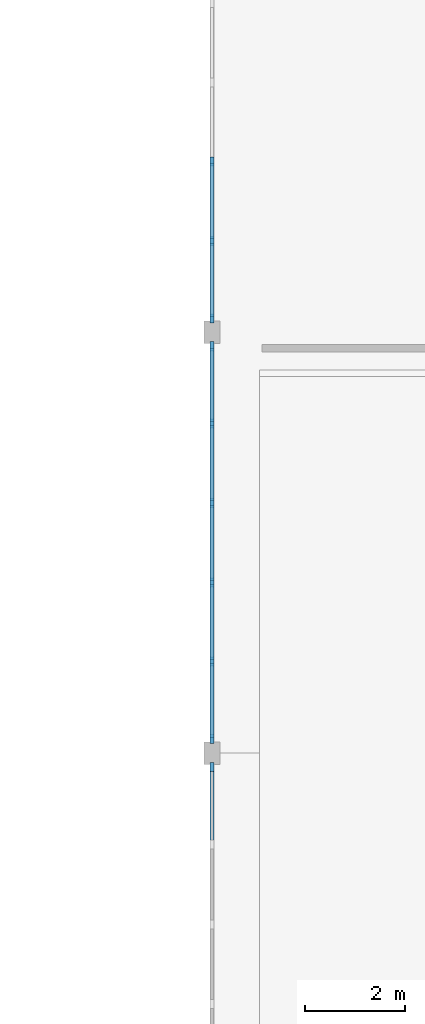
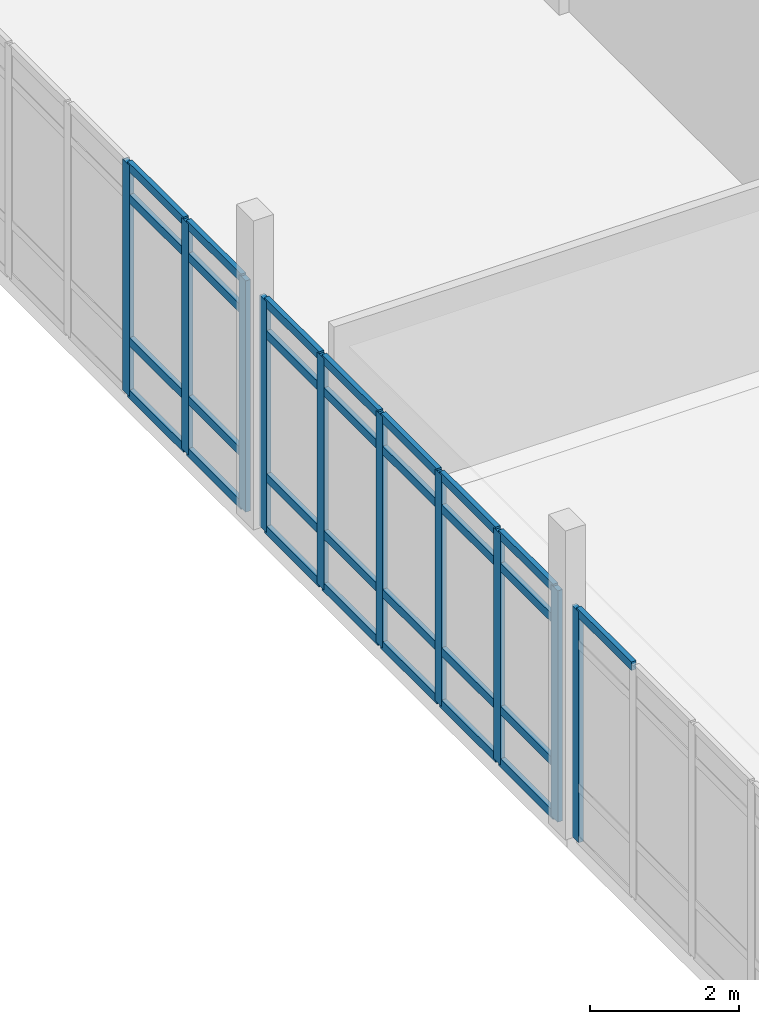
# One storey, part 25 of 61: 39 members, 3 elements without a shape of their own.
"""IFC4 building model written with IfcOpenShell, lengths in metres."""

from ifc_helpers import new_model, si_unit, direction, frame, origin, origin_2d, place, context, subcontext, project, spatial, rectangle, extrude, material, layer, layer_set, material_profile, profile_set, type_object, element, aggregate, save


model = new_model("IFC4")

# Units and contexts
model_context = context("Model", 3, precision=1e-05, world=origin(), true_north=direction((0.0, 1.0)))
body_context = subcontext(model_context, "Body", "Model", "MODEL_VIEW")
ifc_project = project(units=[si_unit("LENGTHUNIT", "METRE"), si_unit("AREAUNIT", "SQUARE_METRE"), si_unit("VOLUMEUNIT", "CUBIC_METRE"), si_unit("PLANEANGLEUNIT", "RADIAN"), si_unit("MASSUNIT", "GRAM", prefix="KILO")], contexts=[model_context])

# Site, building, storey
site_placement = place(None, origin())
site = spatial("IfcSite", under=ifc_project, at=site_placement, CompositionType="ELEMENT")
building_placement = place(site_placement, origin())
building = spatial("IfcBuilding", under=site, at=building_placement, Name="Kolvemor Railside Polytechnic", CompositionType="ELEMENT")
storey_placement = place(building_placement, frame((0.0, 0.0, 10.199951171875)))
storey = spatial("IfcBuildingStorey", under=building, at=storey_placement, Name="L02", CompositionType="ELEMENT", Elevation=10.199951171875)

# Curtain wall, member
ifc_material_1 = material(Name="Anodised marine aluminium and laminated low-E glass", Category="aluminium")
ifc_layer = layer(ifc_material_1, 0.179931640625, Name="CW-UNIT-STD")
ifc_layer_set = layer_set([ifc_layer], Name="Anodised marine aluminium and laminated low-E glass")
curtain_wall_type = type_object("IfcCurtainWallType", Name="CW-UNIT-STD", PredefinedType="USERDEFINED", material=ifc_layer_set)
curtain_wall_1_placement = place(storey_placement, origin())
curtain_wall_1 = element("IfcCurtainWall", 1, at=curtain_wall_1_placement, inside=storey, type_object=curtain_wall_type, Name="Curtain Wall L02-064", ObjectType="UNITISED CURTAIN WALL", PredefinedType="USERDEFINED")
ifc_material_2 = material(Name="Anodised marine aluminium 6063-T6", Category="aluminium")
ifc_material_profile_1 = material_profile(ifc_material_2, rectangle(XDim=0.074951171875, YDim=0.179931640625, at=origin_2d()), Name="CW-MUL-75x180")
ifc_profile_set_1 = profile_set([ifc_material_profile_1], Name="Anodised marine aluminium 6063-T6")
member_type_1 = type_object("IfcMemberType", Name="CWM-75x180", PredefinedType="MULLION", material=ifc_profile_set_1)
member_1_placement = place(storey_placement, frame((144.0, 51.322509765625, 0.0), z_axis=(0.0, 0.0, 1.0), x_axis=(1.0, 0.0, 0.0)))
member_1 = element("IfcMember", 2, at=member_1_placement, type_object=member_type_1, Name="CW-STD mullion 1", PredefinedType="MULLION", context=body_context, shape_type="SweptSolid", body=[
    extrude(rectangle(XDim=0.074951171875, YDim=0.179931640625, at=origin_2d()), origin(), (0.0, 0.0, 1.0), 3.800048828125),
])

# Curtain wall, members
curtain_wall_2_placement = place(storey_placement, origin())
curtain_wall_2 = element("IfcCurtainWall", 3, at=curtain_wall_2_placement, inside=storey, type_object=curtain_wall_type, Name="Curtain Wall L02-074", ObjectType="UNITISED CURTAIN WALL", PredefinedType="USERDEFINED")
member_2_placement = place(storey_placement, frame((144.0, 59.722412109375, 0.0), z_axis=(0.0, 0.0, 1.0), x_axis=(1.0, 0.0, 0.0)))
member_2 = element("IfcMember", 4, at=member_2_placement, type_object=member_type_1, Name="CW-STD mullion 1", PredefinedType="MULLION", context=body_context, shape_type="SweptSolid", body=[
    extrude(rectangle(XDim=0.074951171875, YDim=0.179931640625, at=origin_2d()), origin(), (0.0, 0.0, 1.0), 3.800048828125),
])
member_3_placement = place(storey_placement, frame((144.0, 58.176025390625, 0.0), z_axis=(0.0, 0.0, 1.0), x_axis=(1.0, 0.0, 0.0)))
member_3 = element("IfcMember", 5, at=member_3_placement, type_object=member_type_1, Name="CW-STD mullion 2", PredefinedType="MULLION", context=body_context, shape_type="SweptSolid", body=[
    extrude(rectangle(XDim=0.074951171875, YDim=0.179931640625, at=origin_2d()), origin(), (0.0, 0.0, 1.0), 3.800048828125),
])
member_4_placement = place(storey_placement, frame((144.0, 56.592041015625, 0.0), z_axis=(0.0, 0.0, 1.0), x_axis=(1.0, 0.0, 0.0)))
member_4 = element("IfcMember", 6, at=member_4_placement, type_object=member_type_1, Name="CW-STD mullion 3", PredefinedType="MULLION", context=body_context, shape_type="SweptSolid", body=[
    extrude(rectangle(XDim=0.074951171875, YDim=0.179931640625, at=origin_2d()), origin(), (0.0, 0.0, 1.0), 3.800048828125),
])
member_5_placement = place(storey_placement, frame((144.0, 55.008056640625, 0.0), z_axis=(0.0, 0.0, 1.0), x_axis=(1.0, 0.0, 0.0)))
member_5 = element("IfcMember", 7, at=member_5_placement, type_object=member_type_1, Name="CW-STD mullion 4", PredefinedType="MULLION", context=body_context, shape_type="SweptSolid", body=[
    extrude(rectangle(XDim=0.074951171875, YDim=0.179931640625, at=origin_2d()), origin(), (0.0, 0.0, 1.0), 3.800048828125),
])
member_6_placement = place(storey_placement, frame((144.0, 53.424072265625, 0.0), z_axis=(0.0, 0.0, 1.0), x_axis=(1.0, 0.0, 0.0)))
member_6 = element("IfcMember", 8, at=member_6_placement, type_object=member_type_1, Name="CW-STD mullion 5", PredefinedType="MULLION", context=body_context, shape_type="SweptSolid", body=[
    extrude(rectangle(XDim=0.074951171875, YDim=0.179931640625, at=origin_2d()), origin(), (0.0, 0.0, 1.0), 3.800048828125),
])
member_7_placement = place(storey_placement, frame((144.0, 51.87744140625, 0.0), z_axis=(0.0, 0.0, 1.0), x_axis=(1.0, 0.0, 0.0)))
member_7 = element("IfcMember", 9, at=member_7_placement, type_object=member_type_1, Name="CW-STD mullion 6", PredefinedType="MULLION", context=body_context, shape_type="SweptSolid", body=[
    extrude(rectangle(XDim=0.074951171875, YDim=0.179931640625, at=origin_2d()), origin(), (0.0, 0.0, 1.0), 3.800048828125),
])

curtain_wall_3_placement = place(storey_placement, origin())
curtain_wall_3 = element("IfcCurtainWall", 10, at=curtain_wall_3_placement, inside=storey, type_object=curtain_wall_type, Name="Curtain Wall L02-081", ObjectType="UNITISED CURTAIN WALL", PredefinedType="USERDEFINED")
member_8_placement = place(storey_placement, frame((144.0, 63.407958984375, 0.0), z_axis=(0.0, 0.0, 1.0), x_axis=(1.0, 0.0, 0.0)))
member_8 = element("IfcMember", 11, at=member_8_placement, type_object=member_type_1, Name="CW-STD mullion 4", PredefinedType="MULLION", context=body_context, shape_type="SweptSolid", body=[
    extrude(rectangle(XDim=0.074951171875, YDim=0.179931640625, at=origin_2d()), origin(), (0.0, 0.0, 1.0), 3.800048828125),
])
member_9_placement = place(storey_placement, frame((144.0, 61.823974609375, 0.0), z_axis=(0.0, 0.0, 1.0), x_axis=(1.0, 0.0, 0.0)))
member_9 = element("IfcMember", 12, at=member_9_placement, type_object=member_type_1, Name="CW-STD mullion 5", PredefinedType="MULLION", context=body_context, shape_type="SweptSolid", body=[
    extrude(rectangle(XDim=0.074951171875, YDim=0.179931640625, at=origin_2d()), origin(), (0.0, 0.0, 1.0), 3.800048828125),
])
member_10_placement = place(storey_placement, frame((144.0, 60.277587890625, 0.0), z_axis=(0.0, 0.0, 1.0), x_axis=(1.0, 0.0, 0.0)))
member_10 = element("IfcMember", 13, at=member_10_placement, type_object=member_type_1, Name="CW-STD mullion 6", PredefinedType="MULLION", context=body_context, shape_type="SweptSolid", body=[
    extrude(rectangle(XDim=0.074951171875, YDim=0.179931640625, at=origin_2d()), origin(), (0.0, 0.0, 1.0), 3.800048828125),
])

# Member
ifc_material_3 = material(Name="Anodised marine aluminium 6063-T6", Category="aluminium")
ifc_material_profile_2 = material_profile(ifc_material_3, rectangle(XDim=0.074951171875, YDim=0.139892578125, at=origin_2d()), Name="CW-TRN-75x140")
ifc_profile_set_2 = profile_set([ifc_material_profile_2], Name="Anodised marine aluminium 6063-T6")
member_type_2 = type_object("IfcMemberType", Name="CWT-75x140", PredefinedType="USERDEFINED", material=ifc_profile_set_2)
member_11_placement = place(storey_placement, frame((144.0, 51.284912109375, 3.762451171875), z_axis=(0.0, -1.0, 0.0), x_axis=(1.0, 0.0, 0.0)))
member_11 = element("IfcMember", 14, at=member_11_placement, type_object=member_type_2, Name="CW-STD transom 1.4", ObjectType="TRANSOM", PredefinedType="USERDEFINED", context=body_context, shape_type="SweptSolid", body=[
    extrude(rectangle(XDim=0.074951171875, YDim=0.139892578125, at=origin_2d()), origin(), (0.0, 0.0, 1.0), 1.477294921875),
])

aggregate(curtain_wall_1, [member_1, member_11])

member_12_placement = place(storey_placement, frame((144.0, 59.68505859375, 0.03759765625), z_axis=(0.0, -1.0, 0.0), x_axis=(1.0, 0.0, 0.0)))
member_12 = element("IfcMember", 15, at=member_12_placement, type_object=member_type_2, Name="CW-STD transom 1.1", ObjectType="TRANSOM", PredefinedType="USERDEFINED", context=body_context, shape_type="SweptSolid", body=[
    extrude(rectangle(XDim=0.074951171875, YDim=0.139892578125, at=origin_2d()), origin(), (0.0, 0.0, 1.0), 1.4716796875),
])

member_13_placement = place(storey_placement, frame((144.0, 59.68505859375, 0.900146484375), z_axis=(0.0, -1.0, 0.0), x_axis=(1.0, 0.0, 0.0)))
member_13 = element("IfcMember", 16, at=member_13_placement, type_object=member_type_2, Name="CW-STD transom 1.2", ObjectType="TRANSOM", PredefinedType="USERDEFINED", context=body_context, shape_type="SweptSolid", body=[
    extrude(rectangle(XDim=0.074951171875, YDim=0.139892578125, at=origin_2d()), origin(), (0.0, 0.0, 1.0), 1.4716796875),
])

member_14_placement = place(storey_placement, frame((144.0, 59.68505859375, 3.25), z_axis=(0.0, -1.0, 0.0), x_axis=(1.0, 0.0, 0.0)))
member_14 = element("IfcMember", 17, at=member_14_placement, type_object=member_type_2, Name="CW-STD transom 1.3", ObjectType="TRANSOM", PredefinedType="USERDEFINED", context=body_context, shape_type="SweptSolid", body=[
    extrude(rectangle(XDim=0.074951171875, YDim=0.139892578125, at=origin_2d()), origin(), (0.0, 0.0, 1.0), 1.4716796875),
])

member_15_placement = place(storey_placement, frame((144.0, 59.68505859375, 3.762451171875), z_axis=(0.0, -1.0, 0.0), x_axis=(1.0, 0.0, 0.0)))
member_15 = element("IfcMember", 18, at=member_15_placement, type_object=member_type_2, Name="CW-STD transom 1.4", ObjectType="TRANSOM", PredefinedType="USERDEFINED", context=body_context, shape_type="SweptSolid", body=[
    extrude(rectangle(XDim=0.074951171875, YDim=0.139892578125, at=origin_2d()), origin(), (0.0, 0.0, 1.0), 1.4716796875),
])

member_16_placement = place(storey_placement, frame((144.0, 58.138427734375, 0.03759765625), z_axis=(0.0, -1.0, 0.0), x_axis=(1.0, 0.0, 0.0)))
member_16 = element("IfcMember", 19, at=member_16_placement, type_object=member_type_2, Name="CW-STD transom 2.1", ObjectType="TRANSOM", PredefinedType="USERDEFINED", context=body_context, shape_type="SweptSolid", body=[
    extrude(rectangle(XDim=0.074951171875, YDim=0.139892578125, at=origin_2d()), origin(), (0.0, 0.0, 1.0), 1.509033203125),
])

member_17_placement = place(storey_placement, frame((144.0, 58.138427734375, 0.900146484375), z_axis=(0.0, -1.0, 0.0), x_axis=(1.0, 0.0, 0.0)))
member_17 = element("IfcMember", 20, at=member_17_placement, type_object=member_type_2, Name="CW-STD transom 2.2", ObjectType="TRANSOM", PredefinedType="USERDEFINED", context=body_context, shape_type="SweptSolid", body=[
    extrude(rectangle(XDim=0.074951171875, YDim=0.139892578125, at=origin_2d()), origin(), (0.0, 0.0, 1.0), 1.509033203125),
])

member_18_placement = place(storey_placement, frame((144.0, 58.138427734375, 3.25), z_axis=(0.0, -1.0, 0.0), x_axis=(1.0, 0.0, 0.0)))
member_18 = element("IfcMember", 21, at=member_18_placement, type_object=member_type_2, Name="CW-STD transom 2.3", ObjectType="TRANSOM", PredefinedType="USERDEFINED", context=body_context, shape_type="SweptSolid", body=[
    extrude(rectangle(XDim=0.074951171875, YDim=0.139892578125, at=origin_2d()), origin(), (0.0, 0.0, 1.0), 1.509033203125),
])

member_19_placement = place(storey_placement, frame((144.0, 58.138427734375, 3.762451171875), z_axis=(0.0, -1.0, 0.0), x_axis=(1.0, 0.0, 0.0)))
member_19 = element("IfcMember", 22, at=member_19_placement, type_object=member_type_2, Name="CW-STD transom 2.4", ObjectType="TRANSOM", PredefinedType="USERDEFINED", context=body_context, shape_type="SweptSolid", body=[
    extrude(rectangle(XDim=0.074951171875, YDim=0.139892578125, at=origin_2d()), origin(), (0.0, 0.0, 1.0), 1.509033203125),
])

member_20_placement = place(storey_placement, frame((144.0, 56.554443359375, 0.03759765625), z_axis=(0.0, -1.0, 0.0), x_axis=(1.0, 0.0, 0.0)))
member_20 = element("IfcMember", 23, at=member_20_placement, type_object=member_type_2, Name="CW-STD transom 3.1", ObjectType="TRANSOM", PredefinedType="USERDEFINED", context=body_context, shape_type="SweptSolid", body=[
    extrude(rectangle(XDim=0.074951171875, YDim=0.139892578125, at=origin_2d()), origin(), (0.0, 0.0, 1.0), 1.509033203125),
])

member_21_placement = place(storey_placement, frame((144.0, 56.554443359375, 0.900146484375), z_axis=(0.0, -1.0, 0.0), x_axis=(1.0, 0.0, 0.0)))
member_21 = element("IfcMember", 24, at=member_21_placement, type_object=member_type_2, Name="CW-STD transom 3.2", ObjectType="TRANSOM", PredefinedType="USERDEFINED", context=body_context, shape_type="SweptSolid", body=[
    extrude(rectangle(XDim=0.074951171875, YDim=0.139892578125, at=origin_2d()), origin(), (0.0, 0.0, 1.0), 1.509033203125),
])

member_22_placement = place(storey_placement, frame((144.0, 56.554443359375, 3.25), z_axis=(0.0, -1.0, 0.0), x_axis=(1.0, 0.0, 0.0)))
member_22 = element("IfcMember", 25, at=member_22_placement, type_object=member_type_2, Name="CW-STD transom 3.3", ObjectType="TRANSOM", PredefinedType="USERDEFINED", context=body_context, shape_type="SweptSolid", body=[
    extrude(rectangle(XDim=0.074951171875, YDim=0.139892578125, at=origin_2d()), origin(), (0.0, 0.0, 1.0), 1.509033203125),
])

member_23_placement = place(storey_placement, frame((144.0, 56.554443359375, 3.762451171875), z_axis=(0.0, -1.0, 0.0), x_axis=(1.0, 0.0, 0.0)))
member_23 = element("IfcMember", 26, at=member_23_placement, type_object=member_type_2, Name="CW-STD transom 3.4", ObjectType="TRANSOM", PredefinedType="USERDEFINED", context=body_context, shape_type="SweptSolid", body=[
    extrude(rectangle(XDim=0.074951171875, YDim=0.139892578125, at=origin_2d()), origin(), (0.0, 0.0, 1.0), 1.509033203125),
])

member_24_placement = place(storey_placement, frame((144.0, 54.970458984375, 0.03759765625), z_axis=(0.0, -1.0, 0.0), x_axis=(1.0, 0.0, 0.0)))
member_24 = element("IfcMember", 27, at=member_24_placement, type_object=member_type_2, Name="CW-STD transom 4.1", ObjectType="TRANSOM", PredefinedType="USERDEFINED", context=body_context, shape_type="SweptSolid", body=[
    extrude(rectangle(XDim=0.074951171875, YDim=0.139892578125, at=origin_2d()), origin(), (0.0, 0.0, 1.0), 1.509033203125),
])

member_25_placement = place(storey_placement, frame((144.0, 54.970458984375, 0.900146484375), z_axis=(0.0, -1.0, 0.0), x_axis=(1.0, 0.0, 0.0)))
member_25 = element("IfcMember", 28, at=member_25_placement, type_object=member_type_2, Name="CW-STD transom 4.2", ObjectType="TRANSOM", PredefinedType="USERDEFINED", context=body_context, shape_type="SweptSolid", body=[
    extrude(rectangle(XDim=0.074951171875, YDim=0.139892578125, at=origin_2d()), origin(), (0.0, 0.0, 1.0), 1.509033203125),
])

member_26_placement = place(storey_placement, frame((144.0, 54.970458984375, 3.25), z_axis=(0.0, -1.0, 0.0), x_axis=(1.0, 0.0, 0.0)))
member_26 = element("IfcMember", 29, at=member_26_placement, type_object=member_type_2, Name="CW-STD transom 4.3", ObjectType="TRANSOM", PredefinedType="USERDEFINED", context=body_context, shape_type="SweptSolid", body=[
    extrude(rectangle(XDim=0.074951171875, YDim=0.139892578125, at=origin_2d()), origin(), (0.0, 0.0, 1.0), 1.509033203125),
])

member_27_placement = place(storey_placement, frame((144.0, 54.970458984375, 3.762451171875), z_axis=(0.0, -1.0, 0.0), x_axis=(1.0, 0.0, 0.0)))
member_27 = element("IfcMember", 30, at=member_27_placement, type_object=member_type_2, Name="CW-STD transom 4.4", ObjectType="TRANSOM", PredefinedType="USERDEFINED", context=body_context, shape_type="SweptSolid", body=[
    extrude(rectangle(XDim=0.074951171875, YDim=0.139892578125, at=origin_2d()), origin(), (0.0, 0.0, 1.0), 1.509033203125),
])

member_28_placement = place(storey_placement, frame((144.0, 53.386474609375, 0.03759765625), z_axis=(0.0, -1.0, 0.0), x_axis=(1.0, 0.0, 0.0)))
member_28 = element("IfcMember", 31, at=member_28_placement, type_object=member_type_2, Name="CW-STD transom 5.1", ObjectType="TRANSOM", PredefinedType="USERDEFINED", context=body_context, shape_type="SweptSolid", body=[
    extrude(rectangle(XDim=0.074951171875, YDim=0.139892578125, at=origin_2d()), origin(), (0.0, 0.0, 1.0), 1.471435546875),
])

member_29_placement = place(storey_placement, frame((144.0, 53.386474609375, 0.900146484375), z_axis=(0.0, -1.0, 0.0), x_axis=(1.0, 0.0, 0.0)))
member_29 = element("IfcMember", 32, at=member_29_placement, type_object=member_type_2, Name="CW-STD transom 5.2", ObjectType="TRANSOM", PredefinedType="USERDEFINED", context=body_context, shape_type="SweptSolid", body=[
    extrude(rectangle(XDim=0.074951171875, YDim=0.139892578125, at=origin_2d()), origin(), (0.0, 0.0, 1.0), 1.471435546875),
])

member_30_placement = place(storey_placement, frame((144.0, 53.386474609375, 3.25), z_axis=(0.0, -1.0, 0.0), x_axis=(1.0, 0.0, 0.0)))
member_30 = element("IfcMember", 33, at=member_30_placement, type_object=member_type_2, Name="CW-STD transom 5.3", ObjectType="TRANSOM", PredefinedType="USERDEFINED", context=body_context, shape_type="SweptSolid", body=[
    extrude(rectangle(XDim=0.074951171875, YDim=0.139892578125, at=origin_2d()), origin(), (0.0, 0.0, 1.0), 1.471435546875),
])

member_31_placement = place(storey_placement, frame((144.0, 53.386474609375, 3.762451171875), z_axis=(0.0, -1.0, 0.0), x_axis=(1.0, 0.0, 0.0)))
member_31 = element("IfcMember", 34, at=member_31_placement, type_object=member_type_2, Name="CW-STD transom 5.4", ObjectType="TRANSOM", PredefinedType="USERDEFINED", context=body_context, shape_type="SweptSolid", body=[
    extrude(rectangle(XDim=0.074951171875, YDim=0.139892578125, at=origin_2d()), origin(), (0.0, 0.0, 1.0), 1.471435546875),
])

aggregate(curtain_wall_2, [member_2, member_3, member_4, member_5, member_6, member_7, member_12, member_13, member_14, member_15, member_16, member_17, member_18, member_19, member_20, member_21, member_22, member_23, member_24, member_25, member_26, member_27, member_28, member_29, member_30, member_31])

member_32_placement = place(storey_placement, frame((144.0, 63.37060546875, 0.03759765625), z_axis=(0.0, -1.0, 0.0), x_axis=(1.0, 0.0, 0.0)))
member_32 = element("IfcMember", 35, at=member_32_placement, type_object=member_type_2, Name="CW-STD transom 4.1", ObjectType="TRANSOM", PredefinedType="USERDEFINED", context=body_context, shape_type="SweptSolid", body=[
    extrude(rectangle(XDim=0.074951171875, YDim=0.139892578125, at=origin_2d()), origin(), (0.0, 0.0, 1.0), 1.509033203125),
])

member_33_placement = place(storey_placement, frame((144.0, 63.37060546875, 0.900146484375), z_axis=(0.0, -1.0, 0.0), x_axis=(1.0, 0.0, 0.0)))
member_33 = element("IfcMember", 36, at=member_33_placement, type_object=member_type_2, Name="CW-STD transom 4.2", ObjectType="TRANSOM", PredefinedType="USERDEFINED", context=body_context, shape_type="SweptSolid", body=[
    extrude(rectangle(XDim=0.074951171875, YDim=0.139892578125, at=origin_2d()), origin(), (0.0, 0.0, 1.0), 1.509033203125),
])

member_34_placement = place(storey_placement, frame((144.0, 63.37060546875, 3.25), z_axis=(0.0, -1.0, 0.0), x_axis=(1.0, 0.0, 0.0)))
member_34 = element("IfcMember", 37, at=member_34_placement, type_object=member_type_2, Name="CW-STD transom 4.3", ObjectType="TRANSOM", PredefinedType="USERDEFINED", context=body_context, shape_type="SweptSolid", body=[
    extrude(rectangle(XDim=0.074951171875, YDim=0.139892578125, at=origin_2d()), origin(), (0.0, 0.0, 1.0), 1.509033203125),
])

member_35_placement = place(storey_placement, frame((144.0, 63.37060546875, 3.762451171875), z_axis=(0.0, -1.0, 0.0), x_axis=(1.0, 0.0, 0.0)))
member_35 = element("IfcMember", 38, at=member_35_placement, type_object=member_type_2, Name="CW-STD transom 4.4", ObjectType="TRANSOM", PredefinedType="USERDEFINED", context=body_context, shape_type="SweptSolid", body=[
    extrude(rectangle(XDim=0.074951171875, YDim=0.139892578125, at=origin_2d()), origin(), (0.0, 0.0, 1.0), 1.509033203125),
])

member_36_placement = place(storey_placement, frame((144.0, 61.78662109375, 0.03759765625), z_axis=(0.0, -1.0, 0.0), x_axis=(1.0, 0.0, 0.0)))
member_36 = element("IfcMember", 39, at=member_36_placement, type_object=member_type_2, Name="CW-STD transom 5.1", ObjectType="TRANSOM", PredefinedType="USERDEFINED", context=body_context, shape_type="SweptSolid", body=[
    extrude(rectangle(XDim=0.074951171875, YDim=0.139892578125, at=origin_2d()), origin(), (0.0, 0.0, 1.0), 1.4716796875),
])

member_37_placement = place(storey_placement, frame((144.0, 61.78662109375, 0.900146484375), z_axis=(0.0, -1.0, 0.0), x_axis=(1.0, 0.0, 0.0)))
member_37 = element("IfcMember", 40, at=member_37_placement, type_object=member_type_2, Name="CW-STD transom 5.2", ObjectType="TRANSOM", PredefinedType="USERDEFINED", context=body_context, shape_type="SweptSolid", body=[
    extrude(rectangle(XDim=0.074951171875, YDim=0.139892578125, at=origin_2d()), origin(), (0.0, 0.0, 1.0), 1.4716796875),
])

member_38_placement = place(storey_placement, frame((144.0, 61.78662109375, 3.25), z_axis=(0.0, -1.0, 0.0), x_axis=(1.0, 0.0, 0.0)))
member_38 = element("IfcMember", 41, at=member_38_placement, type_object=member_type_2, Name="CW-STD transom 5.3", ObjectType="TRANSOM", PredefinedType="USERDEFINED", context=body_context, shape_type="SweptSolid", body=[
    extrude(rectangle(XDim=0.074951171875, YDim=0.139892578125, at=origin_2d()), origin(), (0.0, 0.0, 1.0), 1.4716796875),
])

member_39_placement = place(storey_placement, frame((144.0, 61.78662109375, 3.762451171875), z_axis=(0.0, -1.0, 0.0), x_axis=(1.0, 0.0, 0.0)))
member_39 = element("IfcMember", 42, at=member_39_placement, type_object=member_type_2, Name="CW-STD transom 5.4", ObjectType="TRANSOM", PredefinedType="USERDEFINED", context=body_context, shape_type="SweptSolid", body=[
    extrude(rectangle(XDim=0.074951171875, YDim=0.139892578125, at=origin_2d()), origin(), (0.0, 0.0, 1.0), 1.4716796875),
])

aggregate(curtain_wall_3, [member_8, member_9, member_10, member_32, member_33, member_34, member_35, member_36, member_37, member_38, member_39])

save(model, "model.ifc")
